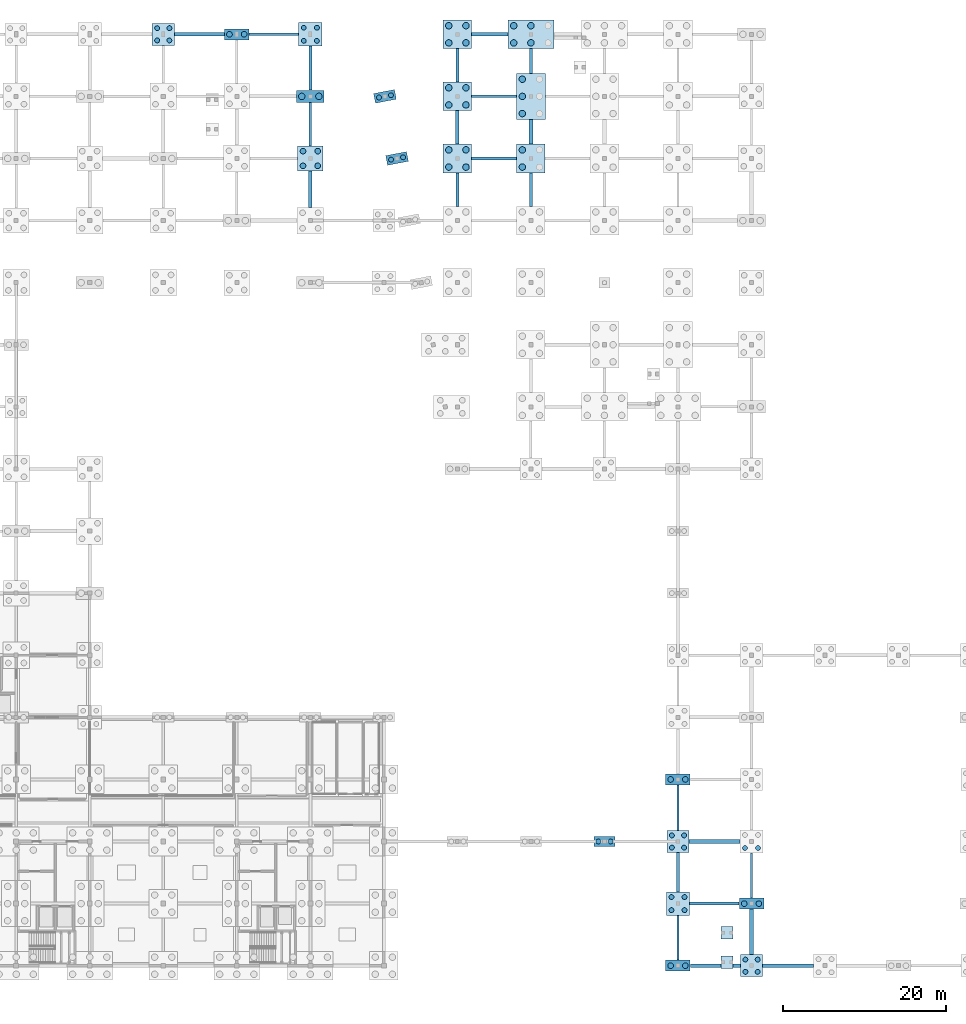
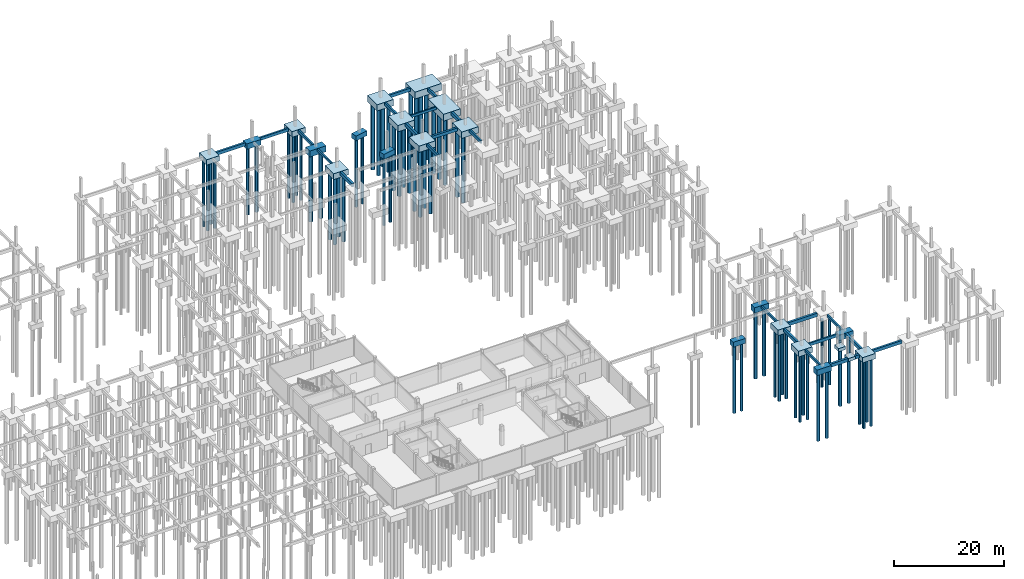
# One storey, part 9 of 28: 63 piles, 45 footings.
"""IFC4 building model written with IfcOpenShell, lengths in metres."""

from ifc_helpers import new_model, si_unit, direction, frame, origin, origin_2d, place, context, subcontext, project, spatial, rectangle, circle, extrude, material, layer, layer_set, material_profile, profile_set, type_object, element, save


model = new_model("IFC4")

# Units and contexts
model_context = context("Model", 3, precision=1e-05, world=origin(), true_north=direction((0.0, 1.0)))
body_context = subcontext(model_context, "Body", "Model", "MODEL_VIEW")
ifc_project = project(units=[si_unit("LENGTHUNIT", "METRE"), si_unit("AREAUNIT", "SQUARE_METRE"), si_unit("VOLUMEUNIT", "CUBIC_METRE"), si_unit("PLANEANGLEUNIT", "RADIAN"), si_unit("MASSUNIT", "GRAM", prefix="KILO")], contexts=[model_context])

# Site, building, storey
site_placement = place(None, origin())
site = spatial("IfcSite", under=ifc_project, at=site_placement, CompositionType="ELEMENT")
building_placement = place(site_placement, origin())
building = spatial("IfcBuilding", under=site, at=building_placement, Name="Caisbarro Railhouse Central Library", CompositionType="ELEMENT")
storey_placement = place(building_placement, frame((0.0, 0.0, -4.320068359375)))
storey = spatial("IfcBuildingStorey", under=building, at=storey_placement, Name="B01", CompositionType="ELEMENT", Elevation=-4.320068359375)

# Footings
ifc_material_1 = material(Name="Concrete C35", Category="concrete")
footing_type_1 = type_object("IfcFootingType", Name="FTG-FB01", PredefinedType="FOOTING_BEAM", material=ifc_material_1)
footing_1_placement = place(storey_placement, frame((94.53759765625, 114.0, -0.64990234375), z_axis=(0.0, 0.0, 1.0), x_axis=(1.0, 0.0, 0.0)))
element("IfcFooting", 1, at=footing_1_placement, inside=storey, type_object=footing_type_1, Name="FB01 ground tie beam 184", PredefinedType="FOOTING_BEAM", context=body_context, shape_type="SweptSolid", body=[
    extrude(rectangle(XDim=6.071044921875, YDim=0.35009765625, at=origin_2d()), origin(), (0.0, 0.0, 1.0), 0.64990234375),
])
footing_2_placement = place(storey_placement, frame((99.0, 109.862548828125, -0.64990234375), z_axis=(0.0, 0.0, 1.0), x_axis=(0.0, 1.0, 0.0)))
element("IfcFooting", 2, at=footing_2_placement, inside=storey, type_object=footing_type_1, Name="FB01 ground tie beam 188", PredefinedType="FOOTING_BEAM", context=body_context, shape_type="SweptSolid", body=[
    extrude(rectangle(XDim=5.4208984375, YDim=0.35009765625, at=origin_2d()), origin(), (0.0, 0.0, 1.0), 0.64990234375),
])
for number, where, z_axis, x_axis, name in (
    (3, (117.0, 95.0, -0.64990234375), (0.0, 0.0, 1.0), (0.0, 1.0, 0.0), "FB01 ground tie beam 192"),
    (4, (117.0, 110.199951171875, -0.64990234375), (0.0, 0.0, 1.0), (0.0, 1.0, 0.0), "FB01 ground tie beam 196"),
    (5, (126.0, 95.0, -0.64990234375), (0.0, 0.0, 1.0), (0.0, 1.0, 0.0), "FB01 ground tie beam 204"),
):
    element("IfcFooting", number, at=place(storey_placement, frame(where, z_axis=z_axis, x_axis=x_axis)), inside=storey, type_object=footing_type_1, Name=name, PredefinedType="FOOTING_BEAM", context=body_context, shape_type="SweptSolid", body=[
        extrude(rectangle(XDim=4.095947265625, YDim=0.35009765625, at=origin_2d()), origin(), (0.0, 0.0, 1.0), 0.64990234375),
    ])
footing_3_placement = place(storey_placement, frame((126.0, 110.737548828125, -0.64990234375), z_axis=(0.0, 0.0, 1.0), x_axis=(0.0, 1.0, 0.0)))
element("IfcFooting", 6, at=footing_3_placement, inside=storey, type_object=footing_type_1, Name="FB01 ground tie beam 208", PredefinedType="FOOTING_BEAM", context=body_context, shape_type="SweptSolid", body=[
    extrude(rectangle(XDim=3.02099609375, YDim=0.35009765625, at=origin_2d()), origin(), (0.0, 0.0, 1.0), 0.64990234375),
])
footing_4_placement = place(storey_placement, frame((148.46240234375, 7.60009765625, -0.64990234375), z_axis=(0.0, 0.0, 1.0), x_axis=(1.0, 0.0, 0.0)))
element("IfcFooting", 7, at=footing_4_placement, inside=storey, type_object=footing_type_1, Name="FB01 ground tie beam 224", PredefinedType="FOOTING_BEAM", context=body_context, shape_type="SweptSolid", body=[
    extrude(rectangle(XDim=6.071044921875, YDim=0.35009765625, at=origin_2d()), origin(), (0.0, 0.0, 1.0), 0.64990234375),
])
footing_type_2 = type_object("IfcFootingType", Name="FTG-FB02", PredefinedType="FOOTING_BEAM", material=ifc_material_1)
footing_5_placement = place(storey_placement, frame((85.425048828125, 114.0, -0.69970703125), z_axis=(0.0, 0.0, 1.0), x_axis=(1.0, 0.0, 0.0)))
element("IfcFooting", 8, at=footing_5_placement, inside=storey, type_object=footing_type_2, Name="FB02 ground tie beam 177", PredefinedType="FOOTING_BEAM", context=body_context, shape_type="SweptSolid", body=[
    extrude(rectangle(XDim=6.14599609375, YDim=0.39990234375, at=origin_2d()), origin(), (0.0, 0.0, 1.0), 0.699951171875),
])
footing_6_placement = place(storey_placement, frame((121.5, 98.800048828125, -0.69970703125), z_axis=(0.0, 0.0, 1.0), x_axis=(1.0, 0.0, 0.0)))
element("IfcFooting", 9, at=footing_6_placement, inside=storey, type_object=footing_type_2, Name="FB02 ground tie beam 193", PredefinedType="FOOTING_BEAM", context=body_context, shape_type="SweptSolid", body=[
    extrude(rectangle(XDim=5.49609375, YDim=0.39990234375, at=origin_2d()), origin(), (0.0, 0.0, 1.0), 0.699951171875),
])
footing_7_placement = place(storey_placement, frame((120.97509765625, 114.0, -0.69970703125), z_axis=(0.0, 0.0, 1.0), x_axis=(1.0, 0.0, 0.0)))
element("IfcFooting", 10, at=footing_7_placement, inside=storey, type_object=footing_type_2, Name="FB02 ground tie beam 197", PredefinedType="FOOTING_BEAM", context=body_context, shape_type="SweptSolid", body=[
    extrude(rectangle(XDim=4.446044921875, YDim=0.39990234375, at=origin_2d()), origin(), (0.0, 0.0, 1.0), 0.699951171875),
])
footing_8_placement = place(storey_placement, frame((144.0, 11.4375, -0.69970703125), z_axis=(0.0, 0.0, 1.0), x_axis=(0.0, 1.0, 0.0)))
element("IfcFooting", 11, at=footing_8_placement, inside=storey, type_object=footing_type_2, Name="FB02 ground tie beam 225", PredefinedType="FOOTING_BEAM", context=body_context, shape_type="SweptSolid", body=[
    extrude(rectangle(XDim=4.821044921875, YDim=0.39990234375, at=origin_2d()), origin(), (0.0, 0.0, 1.0), 0.699951171875),
])
footing_9_placement = place(storey_placement, frame((157.46240234375, 0.0, -0.69970703125), z_axis=(0.0, 0.0, 1.0), x_axis=(1.0, 0.0, 0.0)))
element("IfcFooting", 12, at=footing_9_placement, inside=storey, type_object=footing_type_2, Name="FB02 ground tie beam 245", PredefinedType="FOOTING_BEAM", context=body_context, shape_type="SweptSolid", body=[
    extrude(rectangle(XDim=6.220947265625, YDim=0.39990234375, at=origin_2d()), origin(), (0.0, 0.0, 1.0), 0.699951171875),
])
footing_type_3 = type_object("IfcFootingType", Name="FTG-FB03", PredefinedType="FOOTING_BEAM", material=ifc_material_1)
footing_10_placement = place(storey_placement, frame((99.0, 95.03759765625, -0.75), z_axis=(0.0, 0.0, 1.0), x_axis=(0.0, 1.0, 0.0)))
element("IfcFooting", 13, at=footing_10_placement, inside=storey, type_object=footing_type_3, Name="FB03 ground tie beam 186", PredefinedType="FOOTING_BEAM", context=body_context, shape_type="SweptSolid", body=[
    extrude(rectangle(XDim=4.4208984375, YDim=0.449951171875, at=origin_2d()), origin(), (0.0, 0.0, 1.0), 0.75),
])
footing_11_placement = place(storey_placement, frame((117.0, 102.60009765625, -0.75), z_axis=(0.0, 0.0, 1.0), x_axis=(0.0, 1.0, 0.0)))
element("IfcFooting", 14, at=footing_11_placement, inside=storey, type_object=footing_type_3, Name="FB03 ground tie beam 194", PredefinedType="FOOTING_BEAM", context=body_context, shape_type="SweptSolid", body=[
    extrude(rectangle(XDim=4.095947265625, YDim=0.449951171875, at=origin_2d()), origin(), (0.0, 0.0, 1.0), 0.75),
])
footing_12_placement = place(storey_placement, frame((126.0, 102.0625, -0.75), z_axis=(0.0, 0.0, 1.0), x_axis=(0.0, 1.0, 0.0)))
element("IfcFooting", 15, at=footing_12_placement, inside=storey, type_object=footing_type_3, Name="FB03 ground tie beam 206", PredefinedType="FOOTING_BEAM", context=body_context, shape_type="SweptSolid", body=[
    extrude(rectangle(XDim=3.02099609375, YDim=0.449951171875, at=origin_2d()), origin(), (0.0, 0.0, 1.0), 0.75),
])
footing_13_placement = place(storey_placement, frame((148.574951171875, 0.0, -0.75), z_axis=(0.0, 0.0, 1.0), x_axis=(1.0, 0.0, 0.0)))
element("IfcFooting", 16, at=footing_13_placement, inside=storey, type_object=footing_type_3, Name="FB03 ground tie beam 222", PredefinedType="FOOTING_BEAM", context=body_context, shape_type="SweptSolid", body=[
    extrude(rectangle(XDim=6.14599609375, YDim=0.449951171875, at=origin_2d()), origin(), (0.0, 0.0, 1.0), 0.75),
])
footing_14_placement = place(storey_placement, frame((148.46240234375, 15.199951171875, -0.75), z_axis=(0.0, 0.0, 1.0), x_axis=(1.0, 0.0, 0.0)))
element("IfcFooting", 17, at=footing_14_placement, inside=storey, type_object=footing_type_3, Name="FB03 ground tie beam 226", PredefinedType="FOOTING_BEAM", context=body_context, shape_type="SweptSolid", body=[
    extrude(rectangle(XDim=6.220947265625, YDim=0.449951171875, at=origin_2d()), origin(), (0.0, 0.0, 1.0), 0.75),
])
footing_15_placement = place(storey_placement, frame((153.0, 4.137451171875, -0.75), z_axis=(0.0, 0.0, 1.0), x_axis=(0.0, 1.0, 0.0)))
element("IfcFooting", 18, at=footing_15_placement, inside=storey, type_object=footing_type_3, Name="FB03 ground tie beam 246", PredefinedType="FOOTING_BEAM", context=body_context, shape_type="SweptSolid", body=[
    extrude(rectangle(XDim=5.571044921875, YDim=0.449951171875, at=origin_2d()), origin(), (0.0, 0.0, 1.0), 0.75),
])
footing_type_4 = type_object("IfcFootingType", Name="FTG-FB04", PredefinedType="FOOTING_BEAM", material=ifc_material_1)
footing_16_placement = place(storey_placement, frame((99.0, 103.0, -0.5498046875), z_axis=(0.0, 0.0, 1.0), x_axis=(0.0, 1.0, 0.0)))
element("IfcFooting", 19, at=footing_16_placement, inside=storey, type_object=footing_type_4, Name="FB04 ground tie beam 187", PredefinedType="FOOTING_BEAM", context=body_context, shape_type="SweptSolid", body=[
    extrude(rectangle(XDim=5.2958984375, YDim=0.300048828125, at=origin_2d()), origin(), (0.0, 0.0, 1.0), 0.550048828125),
])
footing_17_placement = place(storey_placement, frame((121.487548828125, 106.39990234375, -0.5498046875), z_axis=(0.0, 0.0, 1.0), x_axis=(1.0, 0.0, 0.0)))
element("IfcFooting", 20, at=footing_17_placement, inside=storey, type_object=footing_type_4, Name="FB04 ground tie beam 195", PredefinedType="FOOTING_BEAM", context=body_context, shape_type="SweptSolid", body=[
    extrude(rectangle(XDim=5.470947265625, YDim=0.300048828125, at=origin_2d()), origin(), (0.0, 0.0, 1.0), 0.550048828125),
])
footing_18_placement = place(storey_placement, frame((144.0, 3.425048828125, -0.5498046875), z_axis=(0.0, 0.0, 1.0), x_axis=(0.0, 1.0, 0.0)))
element("IfcFooting", 21, at=footing_18_placement, inside=storey, type_object=footing_type_4, Name="FB04 ground tie beam 223", PredefinedType="FOOTING_BEAM", context=body_context, shape_type="SweptSolid", body=[
    extrude(rectangle(XDim=5.49609375, YDim=0.300048828125, at=origin_2d()), origin(), (0.0, 0.0, 1.0), 0.550048828125),
])
footing_19_placement = place(storey_placement, frame((144.0, 19.33740234375, -0.5498046875), z_axis=(0.0, 0.0, 1.0), x_axis=(0.0, 1.0, 0.0)))
element("IfcFooting", 22, at=footing_19_placement, inside=storey, type_object=footing_type_4, Name="FB04 ground tie beam 227", PredefinedType="FOOTING_BEAM", context=body_context, shape_type="SweptSolid", body=[
    extrude(rectangle(XDim=5.571044921875, YDim=0.300048828125, at=origin_2d()), origin(), (0.0, 0.0, 1.0), 0.550048828125),
])
footing_20_placement = place(storey_placement, frame((153.0, 11.02490234375, -0.5498046875), z_axis=(0.0, 0.0, 1.0), x_axis=(0.0, 1.0, 0.0)))
element("IfcFooting", 23, at=footing_20_placement, inside=storey, type_object=footing_type_4, Name="FB04 ground tie beam 247", PredefinedType="FOOTING_BEAM", context=body_context, shape_type="SweptSolid", body=[
    extrude(rectangle(XDim=5.49609375, YDim=0.300048828125, at=origin_2d()), origin(), (0.0, 0.0, 1.0), 0.550048828125),
])
ifc_material_2 = material(Name="Concrete C40", Category="concrete")
ifc_layer_1 = layer(ifc_material_2, 1.10009765625, Name="Concrete C40")
ifc_layer_set_1 = layer_set([ifc_layer_1], Name="Concrete C40")
footing_type_5 = type_object("IfcFootingType", Name="FTG-PC02", PredefinedType="PILE_CAP", material=ifc_layer_set_1)
for number, where, z_axis, x_axis, name in (
    (24, (108.135986328125, 106.39990234375, -1.10009765625), (0.0, 0.0, 1.0), (0.981627183448, 0.190808995377, 0.0), "PC02 pile cap (163)"),
    (25, (109.614013671875, 98.800048828125, -1.10009765625), (0.0, 0.0, 1.0), (0.981627183448, 0.190808995377, 0.0), "PC02 pile cap (164)"),
    (26, (135.0, 15.199951171875, -1.10009765625), (0.0, 0.0, 1.0), (1.0, 0.0, 0.0), "PC02 link pile cap 4"),
):
    element("IfcFooting", number, at=place(storey_placement, frame(where, z_axis=z_axis, x_axis=x_axis)), inside=storey, type_object=footing_type_5, Name=name, PredefinedType="PILE_CAP", context=body_context, shape_type="SweptSolid", body=[
        extrude(rectangle(XDim=2.60009765625, YDim=1.199951171875, at=origin_2d()), origin(), (0.0, 0.0, 1.0), 1.10009765625),
    ])
ifc_layer_2 = layer(ifc_material_2, 1.199951171875, Name="Concrete C40")
ifc_layer_set_2 = layer_set([ifc_layer_2], Name="Concrete C40")
footing_type_6 = type_object("IfcFootingType", Name="FTG-PC04", PredefinedType="PILE_CAP", material=ifc_layer_set_2)
for number, where, z_axis, x_axis, name in (
    (27, (81.0, 114.0, -1.19970703125), (0.0, 0.0, 1.0), (1.0, 0.0, 0.0), "PC04 pile cap (135)"),
    (28, (144.0, 15.199951171875, -1.19970703125), (0.0, 0.0, 1.0), (1.0, 0.0, 0.0), "PC04 pile cap (195)"),
    (29, (153.0, 0.0, -1.19970703125), (0.0, 0.0, 1.0), (1.0, 0.0, 0.0), "PC04 pile cap (207)"),
):
    element("IfcFooting", number, at=place(storey_placement, frame(where, z_axis=z_axis, x_axis=x_axis)), inside=storey, type_object=footing_type_6, Name=name, PredefinedType="PILE_CAP", context=body_context, shape_type="SweptSolid", body=[
        extrude(rectangle(XDim=2.699951171875, YDim=2.699951171875, at=origin_2d()), origin(), (0.0, 0.0, 1.0), 1.199951171875),
    ])
ifc_layer_3 = layer(ifc_material_2, 1.219970703125, Name="Concrete C40")
ifc_layer_set_3 = layer_set([ifc_layer_3], Name="Concrete C40")
footing_type_7 = type_object("IfcFootingType", Name="FTG-PC05", PredefinedType="PILE_CAP", material=ifc_layer_set_3)
for number, where, z_axis, x_axis, name in (
    (30, (90.0, 114.0, -1.2197265625), (0.0, 0.0, 1.0), (1.0, 0.0, 0.0), "PC05 pile cap (145)"),
    (31, (144.0, 0.0, -1.2197265625), (0.0, 0.0, 1.0), (1.0, 0.0, 0.0), "PC05 pile cap (193)"),
    (32, (144.0, 22.800048828125, -1.2197265625), (0.0, 0.0, 1.0), (1.0, 0.0, 0.0), "PC05 pile cap (196)"),
    (33, (153.0, 7.60009765625, -1.2197265625), (0.0, 0.0, 1.0), (1.0, 0.0, 0.0), "PC05 pile cap (208)"),
):
    element("IfcFooting", number, at=place(storey_placement, frame(where, z_axis=z_axis, x_axis=x_axis)), inside=storey, type_object=footing_type_7, Name=name, PredefinedType="PILE_CAP", context=body_context, shape_type="SweptSolid", body=[
        extrude(rectangle(XDim=3.0, YDim=1.35009765625, at=origin_2d()), origin(), (0.0, 0.0, 1.0), 1.219970703125),
    ])
ifc_layer_4 = layer(ifc_material_2, 1.300048828125, Name="Concrete C40")
ifc_layer_set_4 = layer_set([ifc_layer_4], Name="Concrete C40")
footing_type_8 = type_object("IfcFootingType", Name="FTG-PC06", PredefinedType="PILE_CAP", material=ifc_layer_set_4)
footing_21_placement = place(storey_placement, frame((99.0, 98.800048828125, -1.2998046875), z_axis=(0.0, 0.0, 1.0), x_axis=(1.0, 0.0, 0.0)))
element("IfcFooting", 34, at=footing_21_placement, inside=storey, type_object=footing_type_8, Name="PC06 pile cap (153)", PredefinedType="PILE_CAP", context=body_context, shape_type="SweptSolid", body=[
    extrude(rectangle(XDim=3.10009765625, YDim=3.10009765625, at=origin_2d()), origin(), (0.0, 0.0, 1.0), 1.300048828125),
])
ifc_layer_5 = layer(ifc_material_2, 1.320068359375, Name="Concrete C40")
ifc_layer_set_5 = layer_set([ifc_layer_5], Name="Concrete C40")
footing_type_9 = type_object("IfcFootingType", Name="FTG-PC07", PredefinedType="PILE_CAP", material=ifc_layer_set_5)
footing_22_placement = place(storey_placement, frame((99.0, 106.39990234375, -1.31982421875), z_axis=(0.0, 0.0, 1.0), x_axis=(1.0, 0.0, 0.0)))
element("IfcFooting", 35, at=footing_22_placement, inside=storey, type_object=footing_type_9, Name="PC07 pile cap (154)", PredefinedType="PILE_CAP", context=body_context, shape_type="SweptSolid", body=[
    extrude(rectangle(XDim=3.39990234375, YDim=1.5, at=origin_2d()), origin(), (0.0, 0.0, 1.0), 1.320068359375),
])
ifc_layer_6 = layer(ifc_material_2, 1.39990234375, Name="Concrete C40")
ifc_layer_set_6 = layer_set([ifc_layer_6], Name="Concrete C40")
footing_type_10 = type_object("IfcFootingType", Name="FTG-PC08", PredefinedType="PILE_CAP", material=ifc_layer_set_6)
for number, where, z_axis, x_axis, name in (
    (36, (117.0, 98.800048828125, -1.39990234375), (0.0, 0.0, 1.0), (1.0, 0.0, 0.0), "PC08 pile cap (174)"),
    (37, (117.0, 106.39990234375, -1.39990234375), (0.0, 0.0, 1.0), (1.0, 0.0, 0.0), "PC08 pile cap (175)"),
    (38, (117.0, 114.0, -1.39990234375), (0.0, 0.0, 1.0), (1.0, 0.0, 0.0), "PC08 pile cap (176)"),
    (39, (126.0, 98.800048828125, -1.39990234375), (0.0, 0.0, 1.0), (1.0, 0.0, 0.0), "PC08 pile cap (182)"),
):
    element("IfcFooting", number, at=place(storey_placement, frame(where, z_axis=z_axis, x_axis=x_axis)), inside=storey, type_object=footing_type_10, Name=name, PredefinedType="PILE_CAP", context=body_context, shape_type="SweptSolid", body=[
        extrude(rectangle(XDim=3.5, YDim=3.5, at=origin_2d()), origin(), (0.0, 0.0, 1.0), 1.39990234375),
    ])
ifc_layer_7 = layer(ifc_material_2, 1.5, Name="Concrete C40")
ifc_layer_set_7 = layer_set([ifc_layer_7], Name="Concrete C40")
footing_type_11 = type_object("IfcFootingType", Name="FTG-PC09", PredefinedType="PILE_CAP", material=ifc_layer_set_7)
footing_23_placement = place(storey_placement, frame((126.0, 114.0, -1.5), z_axis=(0.0, 0.0, 1.0), x_axis=(1.0, 0.0, 0.0)))
element("IfcFooting", 40, at=footing_23_placement, inside=storey, type_object=footing_type_11, Name="PC09 pile cap (184)", PredefinedType="PILE_CAP", context=body_context, shape_type="SweptSolid", body=[
    extrude(rectangle(XDim=5.60009765625, YDim=3.5, at=origin_2d()), origin(), (0.0, 0.0, 1.0), 1.5),
])
ifc_layer_8 = layer(ifc_material_2, 1.52001953125, Name="Concrete C40")
ifc_layer_set_8 = layer_set([ifc_layer_8], Name="Concrete C40")
footing_type_12 = type_object("IfcFootingType", Name="FTG-PC10", PredefinedType="PILE_CAP", material=ifc_layer_set_8)
footing_24_placement = place(storey_placement, frame((126.0, 106.39990234375, -1.52001953125), z_axis=(0.0, 0.0, 1.0), x_axis=(1.0, 0.0, 0.0)))
element("IfcFooting", 41, at=footing_24_placement, inside=storey, type_object=footing_type_12, Name="PC10 pile cap (183)", PredefinedType="PILE_CAP", context=body_context, shape_type="SweptSolid", body=[
    extrude(rectangle(XDim=3.550048828125, YDim=5.64990234375, at=origin_2d()), origin(), (0.0, 0.0, 1.0), 1.52001953125),
])
ifc_layer_9 = layer(ifc_material_2, 1.25, Name="Concrete C40")
ifc_layer_set_9 = layer_set([ifc_layer_9], Name="Concrete C40")
footing_type_13 = type_object("IfcFootingType", Name="FTG-PC13", PredefinedType="PILE_CAP", material=ifc_layer_set_9)
for number, where, z_axis, x_axis, name in (
    (42, (99.0, 114.0, -1.25), (0.0, 0.0, 1.0), (1.0, 0.0, 0.0), "PC13 pile cap (155)"),
    (43, (144.0, 7.60009765625, -1.25), (0.0, 0.0, 1.0), (1.0, 0.0, 0.0), "PC13 pile cap (194)"),
):
    element("IfcFooting", number, at=place(storey_placement, frame(where, z_axis=z_axis, x_axis=x_axis)), inside=storey, type_object=footing_type_13, Name=name, PredefinedType="PILE_CAP", context=body_context, shape_type="SweptSolid", body=[
        extrude(rectangle(XDim=2.85009765625, YDim=2.85009765625, at=origin_2d()), origin(), (0.0, 0.0, 1.0), 1.25),
    ])
ifc_layer_10 = layer(ifc_material_2, 0.699951171875, Name="Concrete C40")
ifc_layer_set_10 = layer_set([ifc_layer_10], Name="Concrete C40")
footing_type_14 = type_object("IfcFootingType", Name="FTG-PF01", PredefinedType="PAD_FOOTING", material=ifc_layer_set_10)
for number, where, z_axis, x_axis, name in (
    (44, (150.0, 0.419921875, -0.69970703125), (0.0, 0.0, 1.0), (1.0, 0.0, 0.0), "PF01 Stair Support Pad Footing K9 S"),
    (45, (150.0, 4.030029296875, -0.69970703125), (0.0, 0.0, 1.0), (1.0, 0.0, 0.0), "PF01 Stair Support Pad Footing K9 N"),
):
    element("IfcFooting", number, at=place(storey_placement, frame(where, z_axis=z_axis, x_axis=x_axis)), inside=storey, type_object=footing_type_14, Name=name, PredefinedType="PAD_FOOTING", context=body_context, shape_type="SweptSolid", body=[
        extrude(rectangle(XDim=1.5, YDim=1.5, at=origin_2d()), origin(), (0.0, 0.0, 1.0), 0.699951171875),
    ])

# Piles
ifc_material_profile_1 = material_profile(ifc_material_1, circle(Radius=0.300048828125, at=origin_2d()), Name="PILE-CFA-600")
ifc_profile_set_1 = profile_set([ifc_material_profile_1], Name="Concrete C35")
pile_type_1 = type_object("IfcPileType", Name="PILE-CFA600", PredefinedType="BORED", material=ifc_profile_set_1)
for number, where, z_axis, x_axis, name in (
    (46, (80.25, 113.25, -1.099853515625), (0.0, 0.0, -1.0), (1.0, 0.0, 0.0), "PL60 CFA bored pile 135.1"),
    (47, (81.75, 113.25, -1.099853515625), (0.0, 0.0, -1.0), (1.0, 0.0, 0.0), "PL60 CFA bored pile 135.2"),
    (48, (80.25, 114.75, -1.099853515625), (0.0, 0.0, -1.0), (1.0, 0.0, 0.0), "PL60 CFA bored pile 135.3"),
    (49, (81.75, 114.75, -1.099853515625), (0.0, 0.0, -1.0), (1.0, 0.0, 0.0), "PL60 CFA bored pile 135.4"),
):
    element("IfcPile", number, at=place(storey_placement, frame(where, z_axis=z_axis, x_axis=x_axis)), inside=storey, type_object=pile_type_1, Name=name, PredefinedType="BORED", context=body_context, shape_type="SweptSolid", body=[
        extrude(circle(Radius=0.300048828125, at=origin_2d()), origin(), (0.0, 0.0, 1.0), 15.080078125),
    ])
for number, where, z_axis, x_axis, name in (
    (50, (98.199951171875, 113.199951171875, -1.14990234375), (0.0, 0.0, -1.0), (1.0, 0.0, 0.0), "PL60 CFA bored pile 155.1"),
    (51, (99.800048828125, 113.199951171875, -1.14990234375), (0.0, 0.0, -1.0), (1.0, 0.0, 0.0), "PL60 CFA bored pile 155.2"),
    (52, (98.199951171875, 114.800048828125, -1.14990234375), (0.0, 0.0, -1.0), (1.0, 0.0, 0.0), "PL60 CFA bored pile 155.3"),
    (53, (99.800048828125, 114.800048828125, -1.14990234375), (0.0, 0.0, -1.0), (1.0, 0.0, 0.0), "PL60 CFA bored pile 155.4"),
):
    element("IfcPile", number, at=place(storey_placement, frame(where, z_axis=z_axis, x_axis=x_axis)), inside=storey, type_object=pile_type_1, Name=name, PredefinedType="BORED", context=body_context, shape_type="SweptSolid", body=[
        extrude(circle(Radius=0.300048828125, at=origin_2d()), origin(), (0.0, 0.0, 1.0), 15.030029296875),
    ])
for number, where, z_axis, x_axis, name in (
    (54, (107.39990234375, 106.2568359375, -1.0), (0.0, 0.0, -1.0), (1.0, 0.0, 0.0), "PL60 CFA bored pile 163.1"),
    (55, (108.872314453125, 106.543212890625, -1.0), (0.0, 0.0, -1.0), (1.0, 0.0, 0.0), "PL60 CFA bored pile 163.2"),
    (56, (108.877685546875, 98.656982421875, -1.0), (0.0, 0.0, -1.0), (1.0, 0.0, 0.0), "PL60 CFA bored pile 164.1"),
    (57, (110.35009765625, 98.943115234375, -1.0), (0.0, 0.0, -1.0), (1.0, 0.0, 0.0), "PL60 CFA bored pile 164.2"),
):
    element("IfcPile", number, at=place(storey_placement, frame(where, z_axis=z_axis, x_axis=x_axis)), inside=storey, type_object=pile_type_1, Name=name, PredefinedType="BORED", context=body_context, shape_type="SweptSolid", body=[
        extrude(circle(Radius=0.300048828125, at=origin_2d()), origin(), (0.0, 0.0, 1.0), 15.179931640625),
    ])
for number, where, z_axis, x_axis, name in (
    (58, (143.199951171875, 6.800048828125, -1.14990234375), (0.0, 0.0, -1.0), (1.0, 0.0, 0.0), "PL60 CFA bored pile 194.1"),
    (59, (144.800048828125, 6.800048828125, -1.14990234375), (0.0, 0.0, -1.0), (1.0, 0.0, 0.0), "PL60 CFA bored pile 194.2"),
    (60, (143.199951171875, 8.39990234375, -1.14990234375), (0.0, 0.0, -1.0), (1.0, 0.0, 0.0), "PL60 CFA bored pile 194.3"),
    (61, (144.800048828125, 8.39990234375, -1.14990234375), (0.0, 0.0, -1.0), (1.0, 0.0, 0.0), "PL60 CFA bored pile 194.4"),
):
    element("IfcPile", number, at=place(storey_placement, frame(where, z_axis=z_axis, x_axis=x_axis)), inside=storey, type_object=pile_type_1, Name=name, PredefinedType="BORED", context=body_context, shape_type="SweptSolid", body=[
        extrude(circle(Radius=0.300048828125, at=origin_2d()), origin(), (0.0, 0.0, 1.0), 15.030029296875),
    ])
for number, where, z_axis, x_axis, name in (
    (62, (143.25, 14.449951171875, -1.099853515625), (0.0, 0.0, -1.0), (1.0, 0.0, 0.0), "PL60 CFA bored pile 195.1"),
    (63, (144.75, 14.449951171875, -1.099853515625), (0.0, 0.0, -1.0), (1.0, 0.0, 0.0), "PL60 CFA bored pile 195.2"),
    (64, (143.25, 15.949951171875, -1.099853515625), (0.0, 0.0, -1.0), (1.0, 0.0, 0.0), "PL60 CFA bored pile 195.3"),
    (65, (144.75, 15.949951171875, -1.099853515625), (0.0, 0.0, -1.0), (1.0, 0.0, 0.0), "PL60 CFA bored pile 195.4"),
    (66, (152.25, -0.75, -1.099853515625), (0.0, 0.0, -1.0), (1.0, 0.0, 0.0), "PL60 CFA bored pile 207.1"),
    (67, (153.75, -0.75, -1.099853515625), (0.0, 0.0, -1.0), (1.0, 0.0, 0.0), "PL60 CFA bored pile 207.2"),
    (68, (152.25, 0.75, -1.099853515625), (0.0, 0.0, -1.0), (1.0, 0.0, 0.0), "PL60 CFA bored pile 207.3"),
    (69, (153.75, 0.75, -1.099853515625), (0.0, 0.0, -1.0), (1.0, 0.0, 0.0), "PL60 CFA bored pile 207.4"),
):
    element("IfcPile", number, at=place(storey_placement, frame(where, z_axis=z_axis, x_axis=x_axis)), inside=storey, type_object=pile_type_1, Name=name, PredefinedType="BORED", context=body_context, shape_type="SweptSolid", body=[
        extrude(circle(Radius=0.300048828125, at=origin_2d()), origin(), (0.0, 0.0, 1.0), 15.080078125),
    ])
for number, where, z_axis, x_axis, name in (
    (70, (152.199951171875, 14.39990234375, -1.14990234375), (0.0, 0.0, -1.0), (1.0, 0.0, 0.0), "PL60 CFA bored pile 209.1"),
    (71, (153.800048828125, 14.39990234375, -1.14990234375), (0.0, 0.0, -1.0), (1.0, 0.0, 0.0), "PL60 CFA bored pile 209.2"),
):
    element("IfcPile", number, at=place(storey_placement, frame(where, z_axis=z_axis, x_axis=x_axis)), inside=storey, type_object=pile_type_1, Name=name, PredefinedType="BORED", context=body_context, shape_type="SweptSolid", body=[
        extrude(circle(Radius=0.300048828125, at=origin_2d()), origin(), (0.0, 0.0, 1.0), 15.030029296875),
    ])
for number, where, z_axis, x_axis, name in (
    (72, (134.25, 15.199951171875, -1.0), (0.0, 0.0, -1.0), (1.0, 0.0, 0.0), "PL60 CFA link pile 4.1"),
    (73, (135.75, 15.199951171875, -1.0), (0.0, 0.0, -1.0), (1.0, 0.0, 0.0), "PL60 CFA link pile 4.2"),
):
    element("IfcPile", number, at=place(storey_placement, frame(where, z_axis=z_axis, x_axis=x_axis)), inside=storey, type_object=pile_type_1, Name=name, PredefinedType="BORED", context=body_context, shape_type="SweptSolid", body=[
        extrude(circle(Radius=0.300048828125, at=origin_2d()), origin(), (0.0, 0.0, 1.0), 15.179931640625),
    ])
ifc_material_profile_2 = material_profile(ifc_material_1, circle(Radius=0.35009765625, at=origin_2d()), Name="PILE-CFA-700")
ifc_profile_set_2 = profile_set([ifc_material_profile_2], Name="Concrete C35")
pile_type_2 = type_object("IfcPileType", Name="PILE-CFA700", PredefinedType="BORED", material=ifc_profile_set_2)
for number, where, z_axis, x_axis, name in (
    (74, (89.10009765625, 114.0, -1.119873046875), (0.0, 0.0, -1.0), (1.0, 0.0, 0.0), "PL70 CFA bored pile 145.1"),
    (75, (90.89990234375, 114.0, -1.119873046875), (0.0, 0.0, -1.0), (1.0, 0.0, 0.0), "PL70 CFA bored pile 145.2"),
):
    element("IfcPile", number, at=place(storey_placement, frame(where, z_axis=z_axis, x_axis=x_axis)), inside=storey, type_object=pile_type_2, Name=name, PredefinedType="BORED", context=body_context, shape_type="SweptSolid", body=[
        extrude(circle(Radius=0.35009765625, at=origin_2d()), origin(), (0.0, 0.0, 1.0), 15.06005859375),
    ])
for number, where, z_axis, x_axis, name in (
    (76, (98.10009765625, 97.89990234375, -1.199951171875), (0.0, 0.0, -1.0), (1.0, 0.0, 0.0), "PL70 CFA bored pile 153.1"),
    (77, (99.89990234375, 97.89990234375, -1.199951171875), (0.0, 0.0, -1.0), (1.0, 0.0, 0.0), "PL70 CFA bored pile 153.2"),
    (78, (98.10009765625, 99.699951171875, -1.199951171875), (0.0, 0.0, -1.0), (1.0, 0.0, 0.0), "PL70 CFA bored pile 153.3"),
    (79, (99.89990234375, 99.699951171875, -1.199951171875), (0.0, 0.0, -1.0), (1.0, 0.0, 0.0), "PL70 CFA bored pile 153.4"),
):
    element("IfcPile", number, at=place(storey_placement, frame(where, z_axis=z_axis, x_axis=x_axis)), inside=storey, type_object=pile_type_2, Name=name, PredefinedType="BORED", context=body_context, shape_type="SweptSolid", body=[
        extrude(circle(Radius=0.35009765625, at=origin_2d()), origin(), (0.0, 0.0, 1.0), 14.97998046875),
    ])
for number, where, z_axis, x_axis, name in (
    (80, (143.10009765625, 0.0, -1.119873046875), (0.0, 0.0, -1.0), (1.0, 0.0, 0.0), "PL70 CFA bored pile 193.1"),
    (81, (144.89990234375, 0.0, -1.119873046875), (0.0, 0.0, -1.0), (1.0, 0.0, 0.0), "PL70 CFA bored pile 193.2"),
    (82, (143.10009765625, 22.800048828125, -1.119873046875), (0.0, 0.0, -1.0), (1.0, 0.0, 0.0), "PL70 CFA bored pile 196.1"),
    (83, (144.89990234375, 22.800048828125, -1.119873046875), (0.0, 0.0, -1.0), (1.0, 0.0, 0.0), "PL70 CFA bored pile 196.2"),
    (84, (152.10009765625, 7.60009765625, -1.119873046875), (0.0, 0.0, -1.0), (1.0, 0.0, 0.0), "PL70 CFA bored pile 208.1"),
    (85, (153.89990234375, 7.60009765625, -1.119873046875), (0.0, 0.0, -1.0), (1.0, 0.0, 0.0), "PL70 CFA bored pile 208.2"),
):
    element("IfcPile", number, at=place(storey_placement, frame(where, z_axis=z_axis, x_axis=x_axis)), inside=storey, type_object=pile_type_2, Name=name, PredefinedType="BORED", context=body_context, shape_type="SweptSolid", body=[
        extrude(circle(Radius=0.35009765625, at=origin_2d()), origin(), (0.0, 0.0, 1.0), 15.06005859375),
    ])
ifc_material_profile_3 = material_profile(ifc_material_1, circle(Radius=0.39990234375, at=origin_2d()), Name="PILE-CFA-800")
ifc_profile_set_3 = profile_set([ifc_material_profile_3], Name="Concrete C35")
pile_type_3 = type_object("IfcPileType", Name="PILE-CFA800", PredefinedType="BORED", material=ifc_profile_set_3)
for number, where, z_axis, x_axis, name in (
    (86, (97.949951171875, 106.39990234375, -1.219970703125), (0.0, 0.0, -1.0), (1.0, 0.0, 0.0), "PL80 CFA bored pile 154.1"),
    (87, (100.050048828125, 106.39990234375, -1.219970703125), (0.0, 0.0, -1.0), (1.0, 0.0, 0.0), "PL80 CFA bored pile 154.2"),
):
    element("IfcPile", number, at=place(storey_placement, frame(where, z_axis=z_axis, x_axis=x_axis)), inside=storey, type_object=pile_type_3, Name=name, PredefinedType="BORED", context=body_context, shape_type="SweptSolid", body=[
        extrude(circle(Radius=0.39990234375, at=origin_2d()), origin(), (0.0, 0.0, 1.0), 14.9599609375),
    ])
for number, where, z_axis, x_axis, name in (
    (88, (115.949951171875, 97.75, -1.300048828125), (0.0, 0.0, -1.0), (1.0, 0.0, 0.0), "PL80 CFA bored pile 174.1"),
    (89, (118.050048828125, 97.75, -1.300048828125), (0.0, 0.0, -1.0), (1.0, 0.0, 0.0), "PL80 CFA bored pile 174.2"),
    (90, (115.949951171875, 99.85009765625, -1.300048828125), (0.0, 0.0, -1.0), (1.0, 0.0, 0.0), "PL80 CFA bored pile 174.3"),
    (91, (118.050048828125, 99.85009765625, -1.300048828125), (0.0, 0.0, -1.0), (1.0, 0.0, 0.0), "PL80 CFA bored pile 174.4"),
    (92, (115.949951171875, 105.35009765625, -1.300048828125), (0.0, 0.0, -1.0), (1.0, 0.0, 0.0), "PL80 CFA bored pile 175.1"),
    (93, (118.050048828125, 105.35009765625, -1.300048828125), (0.0, 0.0, -1.0), (1.0, 0.0, 0.0), "PL80 CFA bored pile 175.2"),
    (94, (115.949951171875, 107.449951171875, -1.300048828125), (0.0, 0.0, -1.0), (1.0, 0.0, 0.0), "PL80 CFA bored pile 175.3"),
    (95, (118.050048828125, 107.449951171875, -1.300048828125), (0.0, 0.0, -1.0), (1.0, 0.0, 0.0), "PL80 CFA bored pile 175.4"),
    (96, (115.949951171875, 112.949951171875, -1.300048828125), (0.0, 0.0, -1.0), (1.0, 0.0, 0.0), "PL80 CFA bored pile 176.1"),
    (97, (118.050048828125, 112.949951171875, -1.300048828125), (0.0, 0.0, -1.0), (1.0, 0.0, 0.0), "PL80 CFA bored pile 176.2"),
    (98, (115.949951171875, 115.050048828125, -1.300048828125), (0.0, 0.0, -1.0), (1.0, 0.0, 0.0), "PL80 CFA bored pile 176.3"),
    (99, (118.050048828125, 115.050048828125, -1.300048828125), (0.0, 0.0, -1.0), (1.0, 0.0, 0.0), "PL80 CFA bored pile 176.4"),
    (100, (124.949951171875, 97.75, -1.300048828125), (0.0, 0.0, -1.0), (1.0, 0.0, 0.0), "PL80 CFA bored pile 182.1"),
    (101, (124.949951171875, 99.85009765625, -1.300048828125), (0.0, 0.0, -1.0), (1.0, 0.0, 0.0), "PL80 CFA bored pile 182.3"),
):
    element("IfcPile", number, at=place(storey_placement, frame(where, z_axis=z_axis, x_axis=x_axis)), inside=storey, type_object=pile_type_3, Name=name, PredefinedType="BORED", context=body_context, shape_type="SweptSolid", body=[
        extrude(circle(Radius=0.39990234375, at=origin_2d()), origin(), (0.0, 0.0, 1.0), 14.8798828125),
    ])
for number, where, z_axis, x_axis, name in (
    (102, (124.949951171875, 104.300048828125, -1.419921875), (0.0, 0.0, -1.0), (1.0, 0.0, 0.0), "PL80 CFA bored pile 183.1"),
    (103, (124.949951171875, 106.39990234375, -1.419921875), (0.0, 0.0, -1.0), (1.0, 0.0, 0.0), "PL80 CFA bored pile 183.3"),
    (104, (124.949951171875, 108.5, -1.419921875), (0.0, 0.0, -1.0), (1.0, 0.0, 0.0), "PL80 CFA bored pile 183.5"),
):
    element("IfcPile", number, at=place(storey_placement, frame(where, z_axis=z_axis, x_axis=x_axis)), inside=storey, type_object=pile_type_3, Name=name, PredefinedType="BORED", context=body_context, shape_type="SweptSolid", body=[
        extrude(circle(Radius=0.39990234375, at=origin_2d()), origin(), (0.0, 0.0, 1.0), 14.760009765625),
    ])
for number, where, z_axis, x_axis, name in (
    (105, (123.89990234375, 112.949951171875, -1.39990234375), (0.0, 0.0, -1.0), (1.0, 0.0, 0.0), "PL80 CFA bored pile 184.1"),
    (106, (126.0, 112.949951171875, -1.39990234375), (0.0, 0.0, -1.0), (1.0, 0.0, 0.0), "PL80 CFA bored pile 184.2"),
    (107, (123.89990234375, 115.050048828125, -1.39990234375), (0.0, 0.0, -1.0), (1.0, 0.0, 0.0), "PL80 CFA bored pile 184.4"),
    (108, (126.0, 115.050048828125, -1.39990234375), (0.0, 0.0, -1.0), (1.0, 0.0, 0.0), "PL80 CFA bored pile 184.5"),
):
    element("IfcPile", number, at=place(storey_placement, frame(where, z_axis=z_axis, x_axis=x_axis)), inside=storey, type_object=pile_type_3, Name=name, PredefinedType="BORED", context=body_context, shape_type="SweptSolid", body=[
        extrude(circle(Radius=0.39990234375, at=origin_2d()), origin(), (0.0, 0.0, 1.0), 14.780029296875),
    ])

save(model, "model.ifc")
